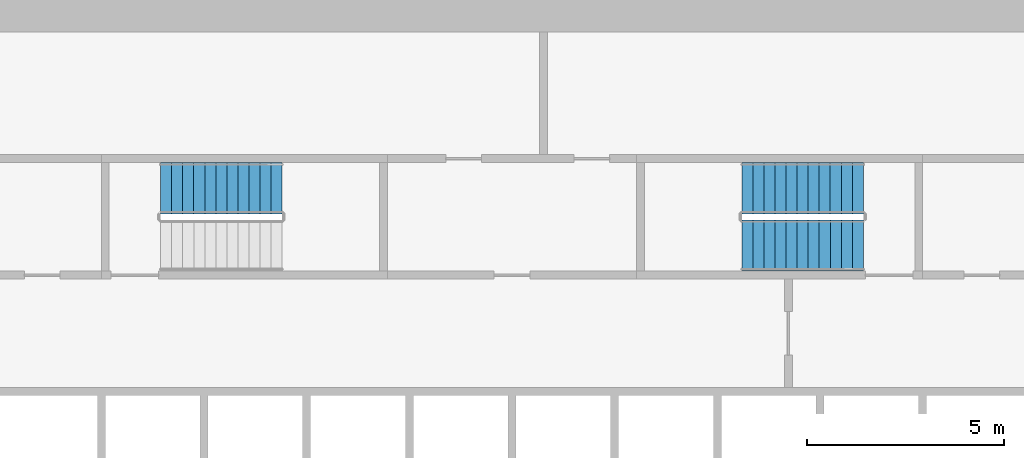
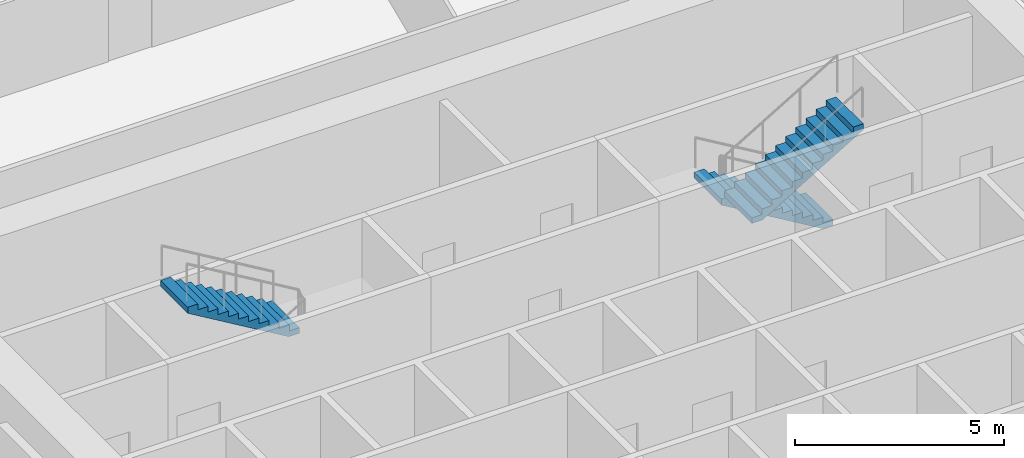
# One storey, part 8 of 9: 3 stair flights, 2 elements without a shape of their own.
"""IFC4 building model written with IfcOpenShell, lengths in metres."""

from ifc_helpers import new_model, si_unit, direction, frame, origin, place, context, subcontext, project, spatial, polyline, outline, extrude, material, type_object, element, aggregate, save


model = new_model("IFC4")

# Units and contexts
model_context = context("Model", 3, precision=1e-05, world=origin(), true_north=direction((0.0, 1.0)))
body_context = subcontext(model_context, "Body", "Model", "MODEL_VIEW")
ifc_project = project(units=[si_unit("LENGTHUNIT", "METRE"), si_unit("AREAUNIT", "SQUARE_METRE"), si_unit("VOLUMEUNIT", "CUBIC_METRE"), si_unit("PLANEANGLEUNIT", "RADIAN"), si_unit("MASSUNIT", "GRAM", prefix="KILO")], contexts=[model_context])

# Site, building, storey
site_placement = place(None, origin())
site = spatial("IfcSite", under=ifc_project, at=site_placement, CompositionType="ELEMENT")
building_placement = place(site_placement, origin())
building = spatial("IfcBuilding", under=site, at=building_placement, Name="Corvane Civic Tower", CompositionType="ELEMENT")
storey_placement = place(building_placement, frame((0.0, 0.0, 98.5)))
storey = spatial("IfcBuildingStorey", under=building, at=storey_placement, Name="L22", CompositionType="ELEMENT", Elevation=98.5)

# Stair, stair flights
ifc_material_1 = material(Name="Concrete C40/50", Category="concrete")
stair_type = type_object("IfcStairType", Name="ST-STAIR-HALFTURN", PredefinedType="HALF_TURN_STAIR", material=ifc_material_1)
stair_1_placement = place(storey_placement, origin())
stair_1 = element("IfcStair", 1, at=stair_1_placement, inside=storey, type_object=stair_type, Name="L22 Exit stair ST1", PredefinedType="HALF_TURN_STAIR")
ifc_material_2 = material(Name="Concrete C40/50", Category="concrete")
stair_flight_type = type_object("IfcStairFlightType", Name="ST-FLIGHT-RC", PredefinedType="STRAIGHT", material=ifc_material_2)
stair_flight_1_placement = place(storey_placement, frame((8.89990234375, 9.550048828125, 0.0), z_axis=(0.0, 0.0, 1.0), x_axis=(-1.0, 0.0, 0.0)))
stair_flight_1 = element("IfcStairFlight", 2, at=stair_flight_1_placement, type_object=stair_flight_type, Name="ST1 flight 1", NumberOfRisers=12, NumberOfTreads=11, PredefinedType="STRAIGHT", RiserHeight=0.166666667, TreadLength=0.28, context=body_context, shape_type="SweptSolid", body=[
    extrude(outline(polyline([(0.0, 0.0), (0.0, 0.166748046875), (0.280029296875, 0.166748046875), (0.280029296875, 0.333251953125), (0.56005859375, 0.333251953125), (0.56005859375, 0.5), (0.840087890625, 0.5), (0.840087890625, 0.666748046875), (1.1201171875, 0.666748046875), (1.1201171875, 0.833251953125), (1.39990234375, 0.833251953125), (1.39990234375, 1.0), (1.679931640625, 1.0), (1.679931640625, 1.166748046875), (1.9599609375, 1.166748046875), (1.9599609375, 1.333251953125), (2.239990234375, 1.333251953125), (2.239990234375, 1.5), (2.52001953125, 1.5), (2.52001953125, 1.666748046875), (2.800048828125, 1.666748046875), (2.800048828125, 1.833251953125), (3.080078125, 1.833251953125), (3.080078125, 2.0), (3.080078125, 1.658935546875), (0.29296875, 0.0), (0.0, 0.0)])), frame((0.0, 0.64990234375, 0.0), z_axis=(0.0, -1.0, 0.0), x_axis=(1.0, 0.0, 0.0)), (0.0, 0.0, 1.0), 1.300048828125),
])
stair_flight_2_placement = place(storey_placement, frame((5.820068359375, 8.10009765625, 2.0), z_axis=(0.0, 0.0, 1.0), x_axis=(1.0, 0.0, 0.0)))
stair_flight_2 = element("IfcStairFlight", 3, at=stair_flight_2_placement, type_object=stair_flight_type, Name="ST1 flight 2", NumberOfRisers=12, NumberOfTreads=11, PredefinedType="STRAIGHT", RiserHeight=0.166666667, TreadLength=0.28, context=body_context, shape_type="SweptSolid", body=[
    extrude(outline(polyline([(0.0, 0.0), (0.0, 0.166748046875), (0.280029296875, 0.166748046875), (0.280029296875, 0.333251953125), (0.56005859375, 0.333251953125), (0.56005859375, 0.5), (0.840087890625, 0.5), (0.840087890625, 0.666748046875), (1.1201171875, 0.666748046875), (1.1201171875, 0.833251953125), (1.39990234375, 0.833251953125), (1.39990234375, 1.0), (1.679931640625, 1.0), (1.679931640625, 1.166748046875), (1.9599609375, 1.166748046875), (1.9599609375, 1.333251953125), (2.239990234375, 1.333251953125), (2.239990234375, 1.5), (2.52001953125, 1.5), (2.52001953125, 1.666748046875), (2.800048828125, 1.666748046875), (2.800048828125, 1.833251953125), (3.080078125, 1.833251953125), (3.080078125, 2.0), (3.080078125, 1.658935546875), (0.29296875, 0.0), (0.0, 0.0)])), frame((0.0, 0.64990234375, 0.0), z_axis=(0.0, -1.0, 0.0), x_axis=(1.0, 0.0, 0.0)), (0.0, 0.0, 1.0), 1.300048828125),
])
aggregate(stair_1, [stair_flight_1, stair_flight_2])

# Stair, stair flight
stair_2_placement = place(storey_placement, origin())
stair_2 = element("IfcStair", 4, at=stair_2_placement, inside=storey, type_object=stair_type, Name="L22 Exit stair ST4", PredefinedType="HALF_TURN_STAIR")
stair_flight_3_placement = place(storey_placement, frame((-5.820068359375, 9.550048828125, 2.0), z_axis=(0.0, 0.0, 1.0), x_axis=(-1.0, 0.0, 0.0)))
stair_flight_3 = element("IfcStairFlight", 5, at=stair_flight_3_placement, type_object=stair_flight_type, Name="ST4 flight 2", NumberOfRisers=12, NumberOfTreads=11, PredefinedType="STRAIGHT", RiserHeight=0.166666667, TreadLength=0.28, context=body_context, shape_type="SweptSolid", body=[
    extrude(outline(polyline([(0.0, 0.0), (0.0, 0.166748046875), (0.280029296875, 0.166748046875), (0.280029296875, 0.333251953125), (0.56005859375, 0.333251953125), (0.56005859375, 0.5), (0.840087890625, 0.5), (0.840087890625, 0.666748046875), (1.1201171875, 0.666748046875), (1.1201171875, 0.833251953125), (1.39990234375, 0.833251953125), (1.39990234375, 1.0), (1.679931640625, 1.0), (1.679931640625, 1.166748046875), (1.9599609375, 1.166748046875), (1.9599609375, 1.333251953125), (2.239990234375, 1.333251953125), (2.239990234375, 1.5), (2.52001953125, 1.5), (2.52001953125, 1.666748046875), (2.800048828125, 1.666748046875), (2.800048828125, 1.833251953125), (3.080078125, 1.833251953125), (3.080078125, 2.0), (3.080078125, 1.658935546875), (0.29296875, 0.0), (0.0, 0.0)])), frame((0.0, 0.64990234375, 0.0), z_axis=(0.0, -1.0, 0.0), x_axis=(1.0, 0.0, 0.0)), (0.0, 0.0, 1.0), 1.300048828125),
])
aggregate(stair_2, [stair_flight_3])

save(model, "model.ifc")
